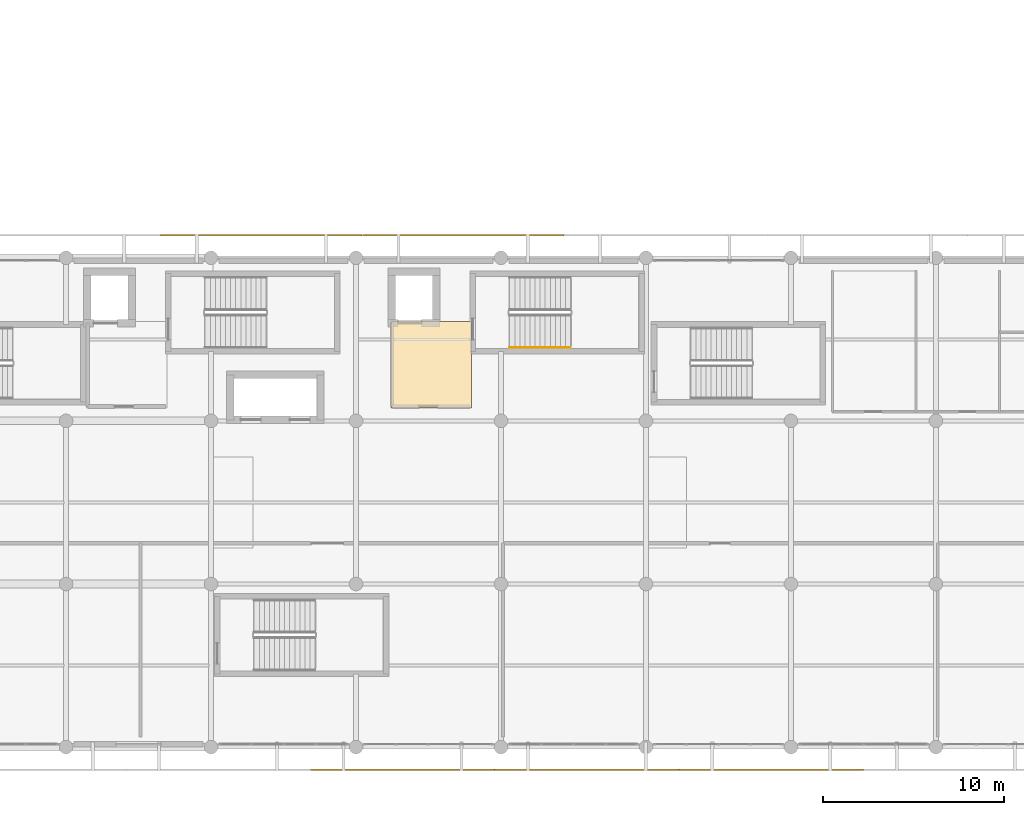
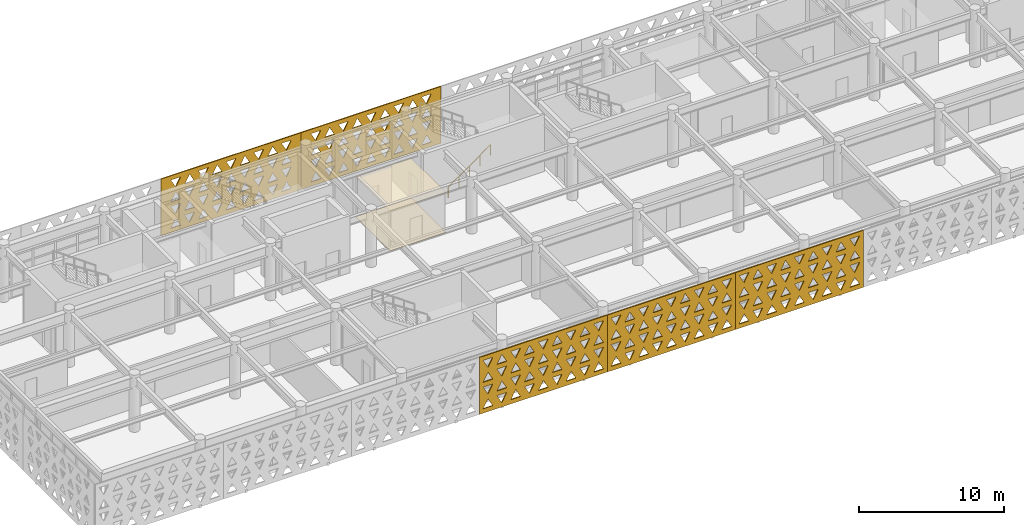
# One storey, part 28 of 33: 7 coverings, 1 railing.
"""IFC4 building model written with IfcOpenShell, lengths in metres."""

from ifc_helpers import new_model, si_unit, direction, frame, origin, origin_2d, place, context, subcontext, project, spatial, polyline, circle, outline, extrude, material, layer, layer_set, type_object, element, save


model = new_model("IFC4")

# Units and contexts
model_context = context("Model", 3, precision=1e-05, world=origin(), true_north=direction((0.0, 1.0)))
body_context = subcontext(model_context, "Body", "Model", "MODEL_VIEW")
ifc_project = project(units=[si_unit("LENGTHUNIT", "METRE"), si_unit("AREAUNIT", "SQUARE_METRE"), si_unit("VOLUMEUNIT", "CUBIC_METRE"), si_unit("PLANEANGLEUNIT", "RADIAN"), si_unit("MASSUNIT", "GRAM", prefix="KILO")], contexts=[model_context])

# Site, building, storey
site_placement = place(None, origin())
site = spatial("IfcSite", under=ifc_project, at=site_placement, CompositionType="ELEMENT")
building_placement = place(site_placement, origin())
building = spatial("IfcBuilding", under=site, at=building_placement, Name="Tlacozan Convention Centre", CompositionType="ELEMENT")
storey_placement = place(building_placement, frame((0.0, 0.0, 16.199951171875)))
storey = spatial("IfcBuildingStorey", under=building, at=storey_placement, Name="L03", CompositionType="ELEMENT", Elevation=16.199951171875)

# Coverings
ifc_material_1 = material(Name="Perforated Acoustic Mineral Fibre Ceiling")
ifc_layer_1 = layer(ifc_material_1, 0.02490234375)
ifc_layer_set_1 = layer_set([ifc_layer_1], Name="Perforated Acoustic Mineral Fibre Ceiling")
covering_type_1 = type_object("IfcCoveringType", Name="Acoustic Mineral Fibre Ceiling 25", PredefinedType="CEILING", material=ifc_layer_set_1)
covering_1_placement = place(storey_placement, frame((0.0, 0.0, 3.35009765625)))
element("IfcCovering", 1, at=covering_1_placement, inside=storey, type_object=covering_type_1, Name="L03 Acoustic Ceiling L03-FFL-3", PredefinedType="CEILING", context=body_context, shape_type="SweptSolid", body=[
    extrude(outline(polyline([(33.919921875, 18.719970703125), (38.3798828125, 18.719970703125), (38.3798828125, 23.47998046875), (33.919921875, 23.47998046875), (33.919921875, 18.719970703125)])), origin(), (0.0, 0.0, 1.0), 0.02490234375),
])
ifc_material_2 = material(Name="Polished Basalt Terrazzo Flooring", Category="masonry")
ifc_layer_2 = layer(ifc_material_2, 0.02001953125)
ifc_layer_set_2 = layer_set([ifc_layer_2], Name="Polished Basalt Terrazzo Flooring")
covering_type_2 = type_object("IfcCoveringType", Name="Polished Basalt Terrazzo Flooring 20", PredefinedType="FLOORING", material=ifc_layer_set_2)
covering_2_placement = place(storey_placement, origin())
element("IfcCovering", 2, at=covering_2_placement, inside=storey, type_object=covering_type_2, Name="L03 Terrazzo Flooring L03-FFL-3", PredefinedType="FLOORING", context=body_context, shape_type="SweptSolid", body=[
    extrude(outline(polyline([(33.919921875, 18.719970703125), (38.3798828125, 18.719970703125), (38.3798828125, 23.47998046875), (33.919921875, 23.47998046875), (33.919921875, 18.719970703125)])), origin(), (0.0, 0.0, 1.0), 0.02001953125),
])

# Railing
ifc_material_3 = material(Name="Architectural Painted Galvanised Steel Railing", Category="steel")
railing_type = type_object("IfcRailingType", Name="Stair Wall Handrail 900", PredefinedType="HANDRAIL", material=ifc_material_3)
railing_placement = place(storey_placement, frame((40.47998046875, 22.050048828125, 0.1845703125)))
element("IfcRailing", 3, at=railing_placement, inside=storey, type_object=railing_type, Name="L03 ST-04 stair handrail 1", PredefinedType="HANDRAIL", context=body_context, shape_type="SweptSolid", body=[
    extrude(circle(Radius=0.02392578125, at=origin_2d()), frame((0.0, 0.0, 0.8759765625), z_axis=(0.813725481382, 0.0, 0.581249379312), x_axis=(0.0, 1.0, 0.0)), (0.0, 0.0, 1.0), 4.12939453125),
    extrude(circle(Radius=0.02099609375, at=origin_2d()), origin(), (0.0, 0.0, 1.0), 0.851806640625),
    extrude(circle(Radius=0.02099609375, at=origin_2d()), frame((0.840087890625, 0.0, 0.60009765625)), (0.0, 0.0, 1.0), 0.851806640625),
    extrude(circle(Radius=0.02099609375, at=origin_2d()), frame((1.68017578125, 0.0, 1.2001953125)), (0.0, 0.0, 1.0), 0.851806640625),
    extrude(circle(Radius=0.02099609375, at=origin_2d()), frame((2.52001953125, 0.0, 1.800048828125)), (0.0, 0.0, 1.0), 0.851806640625),
    extrude(circle(Radius=0.02099609375, at=origin_2d()), frame((3.360107421875, 0.0, 2.400146484375)), (0.0, 0.0, 1.0), 0.851806640625),
])

# Coverings
ifc_material_4 = material(Name="Toluca Fired Terracotta Masonry Solar Screen", Category="masonry")
ifc_layer_3 = layer(ifc_material_4, 0.080078125)
ifc_layer_set_3 = layer_set([ifc_layer_3], Name="Toluca Fired Terracotta Masonry Solar Screen")
covering_type_3 = type_object("IfcCoveringType", Name="Terracotta Triangle Solar Screen 80", PredefinedType="USERDEFINED", material=ifc_layer_set_3)
covering_3_placement = place(storey_placement, frame((29.47705078125, -1.25, -0.030029296875), z_axis=(0.0, 0.0, 1.0), x_axis=(1.0, 0.0, 0.0)))
element("IfcCovering", 4, at=covering_3_placement, inside=storey, type_object=covering_type_3, Name="L03 Terracotta Triangle Screen 54", ObjectType="SCREEN", PredefinedType="USERDEFINED", context=body_context, shape_type="SweptSolid", body=[
    extrude(outline(polyline([(0.0, 0.0), (10.1708984375, 0.0), (10.1708984375, 4.780029296875), (0.0, 4.780029296875), (0.0, 0.0)]), holes=[polyline([(0.29931640625, 0.360107421875), (1.071533203125, 0.360107421875), (0.685546875, 1.074951171875), (0.29931640625, 0.360107421875)]), polyline([(1.3994140625, 1.074951171875), (2.17138671875, 1.074951171875), (1.785400390625, 0.360107421875), (1.3994140625, 1.074951171875)]), polyline([(2.49951171875, 0.360107421875), (3.271484375, 0.360107421875), (2.885498046875, 1.074951171875), (2.49951171875, 0.360107421875)]), polyline([(3.599365234375, 1.074951171875), (4.37158203125, 1.074951171875), (3.9853515625, 0.360107421875), (3.599365234375, 1.074951171875)]), polyline([(4.699462890625, 0.360107421875), (5.471435546875, 0.360107421875), (5.08544921875, 1.074951171875), (4.699462890625, 0.360107421875)]), polyline([(5.79931640625, 1.074951171875), (6.571533203125, 1.074951171875), (6.185546875, 0.360107421875), (5.79931640625, 1.074951171875)]), polyline([(6.8994140625, 0.360107421875), (7.67138671875, 0.360107421875), (7.285400390625, 1.074951171875), (6.8994140625, 0.360107421875)]), polyline([(7.99951171875, 1.074951171875), (8.771484375, 1.074951171875), (8.385498046875, 0.360107421875), (7.99951171875, 1.074951171875)]), polyline([(9.099365234375, 0.360107421875), (9.87158203125, 0.360107421875), (9.4853515625, 1.074951171875), (9.099365234375, 0.360107421875)]), polyline([(0.29931640625, 2.18994140625), (1.071533203125, 2.18994140625), (0.685546875, 1.47509765625), (0.29931640625, 2.18994140625)]), polyline([(1.3994140625, 1.47509765625), (2.17138671875, 1.47509765625), (1.785400390625, 2.18994140625), (1.3994140625, 1.47509765625)]), polyline([(2.49951171875, 2.18994140625), (3.271484375, 2.18994140625), (2.885498046875, 1.47509765625), (2.49951171875, 2.18994140625)]), polyline([(3.599365234375, 1.47509765625), (4.37158203125, 1.47509765625), (3.9853515625, 2.18994140625), (3.599365234375, 1.47509765625)]), polyline([(4.699462890625, 2.18994140625), (5.471435546875, 2.18994140625), (5.08544921875, 1.47509765625), (4.699462890625, 2.18994140625)]), polyline([(5.79931640625, 1.47509765625), (6.571533203125, 1.47509765625), (6.185546875, 2.18994140625), (5.79931640625, 1.47509765625)]), polyline([(6.8994140625, 2.18994140625), (7.67138671875, 2.18994140625), (7.285400390625, 1.47509765625), (6.8994140625, 2.18994140625)]), polyline([(7.99951171875, 1.47509765625), (8.771484375, 1.47509765625), (8.385498046875, 2.18994140625), (7.99951171875, 1.47509765625)]), polyline([(9.099365234375, 2.18994140625), (9.87158203125, 2.18994140625), (9.4853515625, 1.47509765625), (9.099365234375, 2.18994140625)]), polyline([(0.29931640625, 2.590087890625), (1.071533203125, 2.590087890625), (0.685546875, 3.304931640625), (0.29931640625, 2.590087890625)]), polyline([(1.3994140625, 3.304931640625), (2.17138671875, 3.304931640625), (1.785400390625, 2.590087890625), (1.3994140625, 3.304931640625)]), polyline([(2.49951171875, 2.590087890625), (3.271484375, 2.590087890625), (2.885498046875, 3.304931640625), (2.49951171875, 2.590087890625)]), polyline([(3.599365234375, 3.304931640625), (4.37158203125, 3.304931640625), (3.9853515625, 2.590087890625), (3.599365234375, 3.304931640625)]), polyline([(4.699462890625, 2.590087890625), (5.471435546875, 2.590087890625), (5.08544921875, 3.304931640625), (4.699462890625, 2.590087890625)]), polyline([(5.79931640625, 3.304931640625), (6.571533203125, 3.304931640625), (6.185546875, 2.590087890625), (5.79931640625, 3.304931640625)]), polyline([(6.8994140625, 2.590087890625), (7.67138671875, 2.590087890625), (7.285400390625, 3.304931640625), (6.8994140625, 2.590087890625)]), polyline([(7.99951171875, 3.304931640625), (8.771484375, 3.304931640625), (8.385498046875, 2.590087890625), (7.99951171875, 3.304931640625)]), polyline([(9.099365234375, 2.590087890625), (9.87158203125, 2.590087890625), (9.4853515625, 3.304931640625), (9.099365234375, 2.590087890625)]), polyline([(0.29931640625, 4.419921875), (1.071533203125, 4.419921875), (0.685546875, 3.705078125), (0.29931640625, 4.419921875)]), polyline([(1.3994140625, 3.705078125), (2.17138671875, 3.705078125), (1.785400390625, 4.419921875), (1.3994140625, 3.705078125)]), polyline([(2.49951171875, 4.419921875), (3.271484375, 4.419921875), (2.885498046875, 3.705078125), (2.49951171875, 4.419921875)]), polyline([(3.599365234375, 3.705078125), (4.37158203125, 3.705078125), (3.9853515625, 4.419921875), (3.599365234375, 3.705078125)]), polyline([(4.699462890625, 4.419921875), (5.471435546875, 4.419921875), (5.08544921875, 3.705078125), (4.699462890625, 4.419921875)]), polyline([(5.79931640625, 3.705078125), (6.571533203125, 3.705078125), (6.185546875, 4.419921875), (5.79931640625, 3.705078125)]), polyline([(6.8994140625, 4.419921875), (7.67138671875, 4.419921875), (7.285400390625, 3.705078125), (6.8994140625, 4.419921875)]), polyline([(7.99951171875, 3.705078125), (8.771484375, 3.705078125), (8.385498046875, 4.419921875), (7.99951171875, 3.705078125)]), polyline([(9.099365234375, 4.419921875), (9.87158203125, 4.419921875), (9.4853515625, 3.705078125), (9.099365234375, 4.419921875)])]), frame((0.0, 0.0400390625, 0.0), z_axis=(0.0, -1.0, 0.0), x_axis=(1.0, 0.0, 0.0)), (0.0, 0.0, 1.0), 0.080078125),
])
covering_4_placement = place(storey_placement, frame((39.652099609375, -1.25, -0.030029296875), z_axis=(0.0, 0.0, 1.0), x_axis=(1.0, 0.0, 0.0)))
element("IfcCovering", 5, at=covering_4_placement, inside=storey, type_object=covering_type_3, Name="L03 Terracotta Triangle Screen 55", ObjectType="SCREEN", PredefinedType="USERDEFINED", context=body_context, shape_type="SweptSolid", body=[
    extrude(outline(polyline([(0.0, 0.0), (10.1708984375, 0.0), (10.1708984375, 4.780029296875), (0.0, 4.780029296875), (0.0, 0.0)]), holes=[polyline([(0.29931640625, 0.360107421875), (1.071533203125, 0.360107421875), (0.685546875, 1.074951171875), (0.29931640625, 0.360107421875)]), polyline([(1.3994140625, 1.074951171875), (2.17138671875, 1.074951171875), (1.785400390625, 0.360107421875), (1.3994140625, 1.074951171875)]), polyline([(2.49951171875, 0.360107421875), (3.271484375, 0.360107421875), (2.885498046875, 1.074951171875), (2.49951171875, 0.360107421875)]), polyline([(3.599365234375, 1.074951171875), (4.37158203125, 1.074951171875), (3.9853515625, 0.360107421875), (3.599365234375, 1.074951171875)]), polyline([(4.699462890625, 0.360107421875), (5.471435546875, 0.360107421875), (5.08544921875, 1.074951171875), (4.699462890625, 0.360107421875)]), polyline([(5.79931640625, 1.074951171875), (6.571533203125, 1.074951171875), (6.185546875, 0.360107421875), (5.79931640625, 1.074951171875)]), polyline([(6.8994140625, 0.360107421875), (7.67138671875, 0.360107421875), (7.285400390625, 1.074951171875), (6.8994140625, 0.360107421875)]), polyline([(7.99951171875, 1.074951171875), (8.771484375, 1.074951171875), (8.385498046875, 0.360107421875), (7.99951171875, 1.074951171875)]), polyline([(9.099365234375, 0.360107421875), (9.87158203125, 0.360107421875), (9.4853515625, 1.074951171875), (9.099365234375, 0.360107421875)]), polyline([(0.29931640625, 2.18994140625), (1.071533203125, 2.18994140625), (0.685546875, 1.47509765625), (0.29931640625, 2.18994140625)]), polyline([(1.3994140625, 1.47509765625), (2.17138671875, 1.47509765625), (1.785400390625, 2.18994140625), (1.3994140625, 1.47509765625)]), polyline([(2.49951171875, 2.18994140625), (3.271484375, 2.18994140625), (2.885498046875, 1.47509765625), (2.49951171875, 2.18994140625)]), polyline([(3.599365234375, 1.47509765625), (4.37158203125, 1.47509765625), (3.9853515625, 2.18994140625), (3.599365234375, 1.47509765625)]), polyline([(4.699462890625, 2.18994140625), (5.471435546875, 2.18994140625), (5.08544921875, 1.47509765625), (4.699462890625, 2.18994140625)]), polyline([(5.79931640625, 1.47509765625), (6.571533203125, 1.47509765625), (6.185546875, 2.18994140625), (5.79931640625, 1.47509765625)]), polyline([(6.8994140625, 2.18994140625), (7.67138671875, 2.18994140625), (7.285400390625, 1.47509765625), (6.8994140625, 2.18994140625)]), polyline([(7.99951171875, 1.47509765625), (8.771484375, 1.47509765625), (8.385498046875, 2.18994140625), (7.99951171875, 1.47509765625)]), polyline([(9.099365234375, 2.18994140625), (9.87158203125, 2.18994140625), (9.4853515625, 1.47509765625), (9.099365234375, 2.18994140625)]), polyline([(0.29931640625, 2.590087890625), (1.071533203125, 2.590087890625), (0.685546875, 3.304931640625), (0.29931640625, 2.590087890625)]), polyline([(1.3994140625, 3.304931640625), (2.17138671875, 3.304931640625), (1.785400390625, 2.590087890625), (1.3994140625, 3.304931640625)]), polyline([(2.49951171875, 2.590087890625), (3.271484375, 2.590087890625), (2.885498046875, 3.304931640625), (2.49951171875, 2.590087890625)]), polyline([(3.599365234375, 3.304931640625), (4.37158203125, 3.304931640625), (3.9853515625, 2.590087890625), (3.599365234375, 3.304931640625)]), polyline([(4.699462890625, 2.590087890625), (5.471435546875, 2.590087890625), (5.08544921875, 3.304931640625), (4.699462890625, 2.590087890625)]), polyline([(5.79931640625, 3.304931640625), (6.571533203125, 3.304931640625), (6.185546875, 2.590087890625), (5.79931640625, 3.304931640625)]), polyline([(6.8994140625, 2.590087890625), (7.67138671875, 2.590087890625), (7.285400390625, 3.304931640625), (6.8994140625, 2.590087890625)]), polyline([(7.99951171875, 3.304931640625), (8.771484375, 3.304931640625), (8.385498046875, 2.590087890625), (7.99951171875, 3.304931640625)]), polyline([(9.099365234375, 2.590087890625), (9.87158203125, 2.590087890625), (9.4853515625, 3.304931640625), (9.099365234375, 2.590087890625)]), polyline([(0.29931640625, 4.419921875), (1.071533203125, 4.419921875), (0.685546875, 3.705078125), (0.29931640625, 4.419921875)]), polyline([(1.3994140625, 3.705078125), (2.17138671875, 3.705078125), (1.785400390625, 4.419921875), (1.3994140625, 3.705078125)]), polyline([(2.49951171875, 4.419921875), (3.271484375, 4.419921875), (2.885498046875, 3.705078125), (2.49951171875, 4.419921875)]), polyline([(3.599365234375, 3.705078125), (4.37158203125, 3.705078125), (3.9853515625, 4.419921875), (3.599365234375, 3.705078125)]), polyline([(4.699462890625, 4.419921875), (5.471435546875, 4.419921875), (5.08544921875, 3.705078125), (4.699462890625, 4.419921875)]), polyline([(5.79931640625, 3.705078125), (6.571533203125, 3.705078125), (6.185546875, 4.419921875), (5.79931640625, 3.705078125)]), polyline([(6.8994140625, 4.419921875), (7.67138671875, 4.419921875), (7.285400390625, 3.705078125), (6.8994140625, 4.419921875)]), polyline([(7.99951171875, 3.705078125), (8.771484375, 3.705078125), (8.385498046875, 4.419921875), (7.99951171875, 3.705078125)]), polyline([(9.099365234375, 4.419921875), (9.87158203125, 4.419921875), (9.4853515625, 3.705078125), (9.099365234375, 4.419921875)])]), frame((0.0, 0.0400390625, 0.0), z_axis=(0.0, -1.0, 0.0), x_axis=(1.0, 0.0, 0.0)), (0.0, 0.0, 1.0), 0.080078125),
])
covering_5_placement = place(storey_placement, frame((49.826904296875, -1.25, -0.030029296875), z_axis=(0.0, 0.0, 1.0), x_axis=(1.0, 0.0, 0.0)))
element("IfcCovering", 6, at=covering_5_placement, inside=storey, type_object=covering_type_3, Name="L03 Terracotta Triangle Screen 56", ObjectType="SCREEN", PredefinedType="USERDEFINED", context=body_context, shape_type="SweptSolid", body=[
    extrude(outline(polyline([(0.0, 0.0), (10.171142578125, 0.0), (10.171142578125, 4.780029296875), (0.0, 4.780029296875), (0.0, 0.0)]), holes=[polyline([(0.299560546875, 0.360107421875), (1.071533203125, 0.360107421875), (0.685546875, 1.074951171875), (0.299560546875, 0.360107421875)]), polyline([(1.399658203125, 1.074951171875), (2.171630859375, 1.074951171875), (1.78564453125, 0.360107421875), (1.399658203125, 1.074951171875)]), polyline([(2.49951171875, 0.360107421875), (3.271484375, 0.360107421875), (2.885498046875, 1.074951171875), (2.49951171875, 0.360107421875)]), polyline([(3.599609375, 1.074951171875), (4.37158203125, 1.074951171875), (3.985595703125, 0.360107421875), (3.599609375, 1.074951171875)]), polyline([(4.699462890625, 0.360107421875), (5.4716796875, 0.360107421875), (5.08544921875, 1.074951171875), (4.699462890625, 0.360107421875)]), polyline([(5.799560546875, 1.074951171875), (6.571533203125, 1.074951171875), (6.185546875, 0.360107421875), (5.799560546875, 1.074951171875)]), polyline([(6.899658203125, 0.360107421875), (7.671630859375, 0.360107421875), (7.28564453125, 1.074951171875), (6.899658203125, 0.360107421875)]), polyline([(7.99951171875, 1.074951171875), (8.771484375, 1.074951171875), (8.385498046875, 0.360107421875), (7.99951171875, 1.074951171875)]), polyline([(9.099609375, 0.360107421875), (9.87158203125, 0.360107421875), (9.485595703125, 1.074951171875), (9.099609375, 0.360107421875)]), polyline([(0.299560546875, 2.18994140625), (1.071533203125, 2.18994140625), (0.685546875, 1.47509765625), (0.299560546875, 2.18994140625)]), polyline([(1.399658203125, 1.47509765625), (2.171630859375, 1.47509765625), (1.78564453125, 2.18994140625), (1.399658203125, 1.47509765625)]), polyline([(2.49951171875, 2.18994140625), (3.271484375, 2.18994140625), (2.885498046875, 1.47509765625), (2.49951171875, 2.18994140625)]), polyline([(3.599609375, 1.47509765625), (4.37158203125, 1.47509765625), (3.985595703125, 2.18994140625), (3.599609375, 1.47509765625)]), polyline([(4.699462890625, 2.18994140625), (5.4716796875, 2.18994140625), (5.08544921875, 1.47509765625), (4.699462890625, 2.18994140625)]), polyline([(5.799560546875, 1.47509765625), (6.571533203125, 1.47509765625), (6.185546875, 2.18994140625), (5.799560546875, 1.47509765625)]), polyline([(6.899658203125, 2.18994140625), (7.671630859375, 2.18994140625), (7.28564453125, 1.47509765625), (6.899658203125, 2.18994140625)]), polyline([(7.99951171875, 1.47509765625), (8.771484375, 1.47509765625), (8.385498046875, 2.18994140625), (7.99951171875, 1.47509765625)]), polyline([(9.099609375, 2.18994140625), (9.87158203125, 2.18994140625), (9.485595703125, 1.47509765625), (9.099609375, 2.18994140625)]), polyline([(0.299560546875, 2.590087890625), (1.071533203125, 2.590087890625), (0.685546875, 3.304931640625), (0.299560546875, 2.590087890625)]), polyline([(1.399658203125, 3.304931640625), (2.171630859375, 3.304931640625), (1.78564453125, 2.590087890625), (1.399658203125, 3.304931640625)]), polyline([(2.49951171875, 2.590087890625), (3.271484375, 2.590087890625), (2.885498046875, 3.304931640625), (2.49951171875, 2.590087890625)]), polyline([(3.599609375, 3.304931640625), (4.37158203125, 3.304931640625), (3.985595703125, 2.590087890625), (3.599609375, 3.304931640625)]), polyline([(4.699462890625, 2.590087890625), (5.4716796875, 2.590087890625), (5.08544921875, 3.304931640625), (4.699462890625, 2.590087890625)]), polyline([(5.799560546875, 3.304931640625), (6.571533203125, 3.304931640625), (6.185546875, 2.590087890625), (5.799560546875, 3.304931640625)]), polyline([(6.899658203125, 2.590087890625), (7.671630859375, 2.590087890625), (7.28564453125, 3.304931640625), (6.899658203125, 2.590087890625)]), polyline([(7.99951171875, 3.304931640625), (8.771484375, 3.304931640625), (8.385498046875, 2.590087890625), (7.99951171875, 3.304931640625)]), polyline([(9.099609375, 2.590087890625), (9.87158203125, 2.590087890625), (9.485595703125, 3.304931640625), (9.099609375, 2.590087890625)]), polyline([(0.299560546875, 4.419921875), (1.071533203125, 4.419921875), (0.685546875, 3.705078125), (0.299560546875, 4.419921875)]), polyline([(1.399658203125, 3.705078125), (2.171630859375, 3.705078125), (1.78564453125, 4.419921875), (1.399658203125, 3.705078125)]), polyline([(2.49951171875, 4.419921875), (3.271484375, 4.419921875), (2.885498046875, 3.705078125), (2.49951171875, 4.419921875)]), polyline([(3.599609375, 3.705078125), (4.37158203125, 3.705078125), (3.985595703125, 4.419921875), (3.599609375, 3.705078125)]), polyline([(4.699462890625, 4.419921875), (5.4716796875, 4.419921875), (5.08544921875, 3.705078125), (4.699462890625, 4.419921875)]), polyline([(5.799560546875, 3.705078125), (6.571533203125, 3.705078125), (6.185546875, 4.419921875), (5.799560546875, 3.705078125)]), polyline([(6.899658203125, 4.419921875), (7.671630859375, 4.419921875), (7.28564453125, 3.705078125), (6.899658203125, 4.419921875)]), polyline([(7.99951171875, 3.705078125), (8.771484375, 3.705078125), (8.385498046875, 4.419921875), (7.99951171875, 3.705078125)]), polyline([(9.099609375, 4.419921875), (9.87158203125, 4.419921875), (9.485595703125, 3.705078125), (9.099609375, 4.419921875)])]), frame((0.0, 0.0400390625, 0.0), z_axis=(0.0, -1.0, 0.0), x_axis=(1.0, 0.0, 0.0)), (0.0, 0.0, 1.0), 0.080078125),
])
covering_6_placement = place(storey_placement, frame((21.214599609375, 28.25, -0.030029296875), z_axis=(0.0, 0.0, 1.0), x_axis=(1.0, 0.0, 0.0)))
element("IfcCovering", 7, at=covering_6_placement, inside=storey, type_object=covering_type_3, Name="L03 Terracotta Triangle Screen 71", ObjectType="SCREEN", PredefinedType="USERDEFINED", context=body_context, shape_type="SweptSolid", body=[
    extrude(outline(polyline([(0.0, 0.0), (11.127197265625, 0.0), (11.127197265625, 4.780029296875), (0.0, 4.780029296875), (0.0, 0.0)]), holes=[polyline([(0.777587890625, 0.360107421875), (1.549560546875, 0.360107421875), (1.16357421875, 1.074951171875), (0.777587890625, 0.360107421875)]), polyline([(1.877685546875, 1.074951171875), (2.649658203125, 1.074951171875), (2.263671875, 0.360107421875), (1.877685546875, 1.074951171875)]), polyline([(2.9775390625, 0.360107421875), (3.74951171875, 0.360107421875), (3.363525390625, 1.074951171875), (2.9775390625, 0.360107421875)]), polyline([(4.07763671875, 1.074951171875), (4.849609375, 1.074951171875), (4.463623046875, 0.360107421875), (4.07763671875, 1.074951171875)]), polyline([(5.177490234375, 0.360107421875), (5.94970703125, 0.360107421875), (5.5634765625, 1.074951171875), (5.177490234375, 0.360107421875)]), polyline([(6.277587890625, 1.074951171875), (7.049560546875, 1.074951171875), (6.66357421875, 0.360107421875), (6.277587890625, 1.074951171875)]), polyline([(7.377685546875, 0.360107421875), (8.149658203125, 0.360107421875), (7.763671875, 1.074951171875), (7.377685546875, 0.360107421875)]), polyline([(8.4775390625, 1.074951171875), (9.24951171875, 1.074951171875), (8.863525390625, 0.360107421875), (8.4775390625, 1.074951171875)]), polyline([(9.57763671875, 0.360107421875), (10.349609375, 0.360107421875), (9.963623046875, 1.074951171875), (9.57763671875, 0.360107421875)]), polyline([(0.777587890625, 2.18994140625), (1.549560546875, 2.18994140625), (1.16357421875, 1.47509765625), (0.777587890625, 2.18994140625)]), polyline([(1.877685546875, 1.47509765625), (2.649658203125, 1.47509765625), (2.263671875, 2.18994140625), (1.877685546875, 1.47509765625)]), polyline([(2.9775390625, 2.18994140625), (3.74951171875, 2.18994140625), (3.363525390625, 1.47509765625), (2.9775390625, 2.18994140625)]), polyline([(4.07763671875, 1.47509765625), (4.849609375, 1.47509765625), (4.463623046875, 2.18994140625), (4.07763671875, 1.47509765625)]), polyline([(5.177490234375, 2.18994140625), (5.94970703125, 2.18994140625), (5.5634765625, 1.47509765625), (5.177490234375, 2.18994140625)]), polyline([(6.277587890625, 1.47509765625), (7.049560546875, 1.47509765625), (6.66357421875, 2.18994140625), (6.277587890625, 1.47509765625)]), polyline([(7.377685546875, 2.18994140625), (8.149658203125, 2.18994140625), (7.763671875, 1.47509765625), (7.377685546875, 2.18994140625)]), polyline([(8.4775390625, 1.47509765625), (9.24951171875, 1.47509765625), (8.863525390625, 2.18994140625), (8.4775390625, 1.47509765625)]), polyline([(9.57763671875, 2.18994140625), (10.349609375, 2.18994140625), (9.963623046875, 1.47509765625), (9.57763671875, 2.18994140625)]), polyline([(0.777587890625, 2.590087890625), (1.549560546875, 2.590087890625), (1.16357421875, 3.304931640625), (0.777587890625, 2.590087890625)]), polyline([(1.877685546875, 3.304931640625), (2.649658203125, 3.304931640625), (2.263671875, 2.590087890625), (1.877685546875, 3.304931640625)]), polyline([(2.9775390625, 2.590087890625), (3.74951171875, 2.590087890625), (3.363525390625, 3.304931640625), (2.9775390625, 2.590087890625)]), polyline([(4.07763671875, 3.304931640625), (4.849609375, 3.304931640625), (4.463623046875, 2.590087890625), (4.07763671875, 3.304931640625)]), polyline([(5.177490234375, 2.590087890625), (5.94970703125, 2.590087890625), (5.5634765625, 3.304931640625), (5.177490234375, 2.590087890625)]), polyline([(6.277587890625, 3.304931640625), (7.049560546875, 3.304931640625), (6.66357421875, 2.590087890625), (6.277587890625, 3.304931640625)]), polyline([(7.377685546875, 2.590087890625), (8.149658203125, 2.590087890625), (7.763671875, 3.304931640625), (7.377685546875, 2.590087890625)]), polyline([(8.4775390625, 3.304931640625), (9.24951171875, 3.304931640625), (8.863525390625, 2.590087890625), (8.4775390625, 3.304931640625)]), polyline([(9.57763671875, 2.590087890625), (10.349609375, 2.590087890625), (9.963623046875, 3.304931640625), (9.57763671875, 2.590087890625)]), polyline([(0.777587890625, 4.419921875), (1.549560546875, 4.419921875), (1.16357421875, 3.705078125), (0.777587890625, 4.419921875)]), polyline([(1.877685546875, 3.705078125), (2.649658203125, 3.705078125), (2.263671875, 4.419921875), (1.877685546875, 3.705078125)]), polyline([(2.9775390625, 4.419921875), (3.74951171875, 4.419921875), (3.363525390625, 3.705078125), (2.9775390625, 4.419921875)]), polyline([(4.07763671875, 3.705078125), (4.849609375, 3.705078125), (4.463623046875, 4.419921875), (4.07763671875, 3.705078125)]), polyline([(5.177490234375, 4.419921875), (5.94970703125, 4.419921875), (5.5634765625, 3.705078125), (5.177490234375, 4.419921875)]), polyline([(6.277587890625, 3.705078125), (7.049560546875, 3.705078125), (6.66357421875, 4.419921875), (6.277587890625, 3.705078125)]), polyline([(7.377685546875, 4.419921875), (8.149658203125, 4.419921875), (7.763671875, 3.705078125), (7.377685546875, 4.419921875)]), polyline([(8.4775390625, 3.705078125), (9.24951171875, 3.705078125), (8.863525390625, 4.419921875), (8.4775390625, 3.705078125)]), polyline([(9.57763671875, 4.419921875), (10.349609375, 4.419921875), (9.963623046875, 3.705078125), (9.57763671875, 4.419921875)])]), frame((0.0, 0.0400390625, 0.0), z_axis=(0.0, -1.0, 0.0), x_axis=(1.0, 0.0, 0.0)), (0.0, 0.0, 1.0), 0.080078125),
])
covering_7_placement = place(storey_placement, frame((32.345703125, 28.25, -0.030029296875), z_axis=(0.0, 0.0, 1.0), x_axis=(1.0, 0.0, 0.0)))
element("IfcCovering", 8, at=covering_7_placement, inside=storey, type_object=covering_type_3, Name="L03 Terracotta Triangle Screen 72", ObjectType="SCREEN", PredefinedType="USERDEFINED", context=body_context, shape_type="SweptSolid", body=[
    extrude(outline(polyline([(0.0, 0.0), (11.127197265625, 0.0), (11.127197265625, 4.780029296875), (0.0, 4.780029296875), (0.0, 0.0)]), holes=[polyline([(0.777587890625, 0.360107421875), (1.549560546875, 0.360107421875), (1.16357421875, 1.074951171875), (0.777587890625, 0.360107421875)]), polyline([(1.877685546875, 1.074951171875), (2.649658203125, 1.074951171875), (2.263671875, 0.360107421875), (1.877685546875, 1.074951171875)]), polyline([(2.9775390625, 0.360107421875), (3.74951171875, 0.360107421875), (3.363525390625, 1.074951171875), (2.9775390625, 0.360107421875)]), polyline([(4.07763671875, 1.074951171875), (4.849609375, 1.074951171875), (4.463623046875, 0.360107421875), (4.07763671875, 1.074951171875)]), polyline([(5.177490234375, 0.360107421875), (5.94970703125, 0.360107421875), (5.5634765625, 1.074951171875), (5.177490234375, 0.360107421875)]), polyline([(6.277587890625, 1.074951171875), (7.049560546875, 1.074951171875), (6.66357421875, 0.360107421875), (6.277587890625, 1.074951171875)]), polyline([(7.377685546875, 0.360107421875), (8.149658203125, 0.360107421875), (7.763671875, 1.074951171875), (7.377685546875, 0.360107421875)]), polyline([(8.4775390625, 1.074951171875), (9.24951171875, 1.074951171875), (8.863525390625, 0.360107421875), (8.4775390625, 1.074951171875)]), polyline([(9.57763671875, 0.360107421875), (10.349609375, 0.360107421875), (9.963623046875, 1.074951171875), (9.57763671875, 0.360107421875)]), polyline([(0.777587890625, 2.18994140625), (1.549560546875, 2.18994140625), (1.16357421875, 1.47509765625), (0.777587890625, 2.18994140625)]), polyline([(1.877685546875, 1.47509765625), (2.649658203125, 1.47509765625), (2.263671875, 2.18994140625), (1.877685546875, 1.47509765625)]), polyline([(2.9775390625, 2.18994140625), (3.74951171875, 2.18994140625), (3.363525390625, 1.47509765625), (2.9775390625, 2.18994140625)]), polyline([(4.07763671875, 1.47509765625), (4.849609375, 1.47509765625), (4.463623046875, 2.18994140625), (4.07763671875, 1.47509765625)]), polyline([(5.177490234375, 2.18994140625), (5.94970703125, 2.18994140625), (5.5634765625, 1.47509765625), (5.177490234375, 2.18994140625)]), polyline([(6.277587890625, 1.47509765625), (7.049560546875, 1.47509765625), (6.66357421875, 2.18994140625), (6.277587890625, 1.47509765625)]), polyline([(7.377685546875, 2.18994140625), (8.149658203125, 2.18994140625), (7.763671875, 1.47509765625), (7.377685546875, 2.18994140625)]), polyline([(8.4775390625, 1.47509765625), (9.24951171875, 1.47509765625), (8.863525390625, 2.18994140625), (8.4775390625, 1.47509765625)]), polyline([(9.57763671875, 2.18994140625), (10.349609375, 2.18994140625), (9.963623046875, 1.47509765625), (9.57763671875, 2.18994140625)]), polyline([(0.777587890625, 2.590087890625), (1.549560546875, 2.590087890625), (1.16357421875, 3.304931640625), (0.777587890625, 2.590087890625)]), polyline([(1.877685546875, 3.304931640625), (2.649658203125, 3.304931640625), (2.263671875, 2.590087890625), (1.877685546875, 3.304931640625)]), polyline([(2.9775390625, 2.590087890625), (3.74951171875, 2.590087890625), (3.363525390625, 3.304931640625), (2.9775390625, 2.590087890625)]), polyline([(4.07763671875, 3.304931640625), (4.849609375, 3.304931640625), (4.463623046875, 2.590087890625), (4.07763671875, 3.304931640625)]), polyline([(5.177490234375, 2.590087890625), (5.94970703125, 2.590087890625), (5.5634765625, 3.304931640625), (5.177490234375, 2.590087890625)]), polyline([(6.277587890625, 3.304931640625), (7.049560546875, 3.304931640625), (6.66357421875, 2.590087890625), (6.277587890625, 3.304931640625)]), polyline([(7.377685546875, 2.590087890625), (8.149658203125, 2.590087890625), (7.763671875, 3.304931640625), (7.377685546875, 2.590087890625)]), polyline([(8.4775390625, 3.304931640625), (9.24951171875, 3.304931640625), (8.863525390625, 2.590087890625), (8.4775390625, 3.304931640625)]), polyline([(9.57763671875, 2.590087890625), (10.349609375, 2.590087890625), (9.963623046875, 3.304931640625), (9.57763671875, 2.590087890625)]), polyline([(0.777587890625, 4.419921875), (1.549560546875, 4.419921875), (1.16357421875, 3.705078125), (0.777587890625, 4.419921875)]), polyline([(1.877685546875, 3.705078125), (2.649658203125, 3.705078125), (2.263671875, 4.419921875), (1.877685546875, 3.705078125)]), polyline([(2.9775390625, 4.419921875), (3.74951171875, 4.419921875), (3.363525390625, 3.705078125), (2.9775390625, 4.419921875)]), polyline([(4.07763671875, 3.705078125), (4.849609375, 3.705078125), (4.463623046875, 4.419921875), (4.07763671875, 3.705078125)]), polyline([(5.177490234375, 4.419921875), (5.94970703125, 4.419921875), (5.5634765625, 3.705078125), (5.177490234375, 4.419921875)]), polyline([(6.277587890625, 3.705078125), (7.049560546875, 3.705078125), (6.66357421875, 4.419921875), (6.277587890625, 3.705078125)]), polyline([(7.377685546875, 4.419921875), (8.149658203125, 4.419921875), (7.763671875, 3.705078125), (7.377685546875, 4.419921875)]), polyline([(8.4775390625, 3.705078125), (9.24951171875, 3.705078125), (8.863525390625, 4.419921875), (8.4775390625, 3.705078125)]), polyline([(9.57763671875, 4.419921875), (10.349609375, 4.419921875), (9.963623046875, 3.705078125), (9.57763671875, 4.419921875)])]), frame((0.0, 0.0400390625, 0.0), z_axis=(0.0, -1.0, 0.0), x_axis=(1.0, 0.0, 0.0)), (0.0, 0.0, 1.0), 0.080078125),
])

save(model, "model.ifc")
